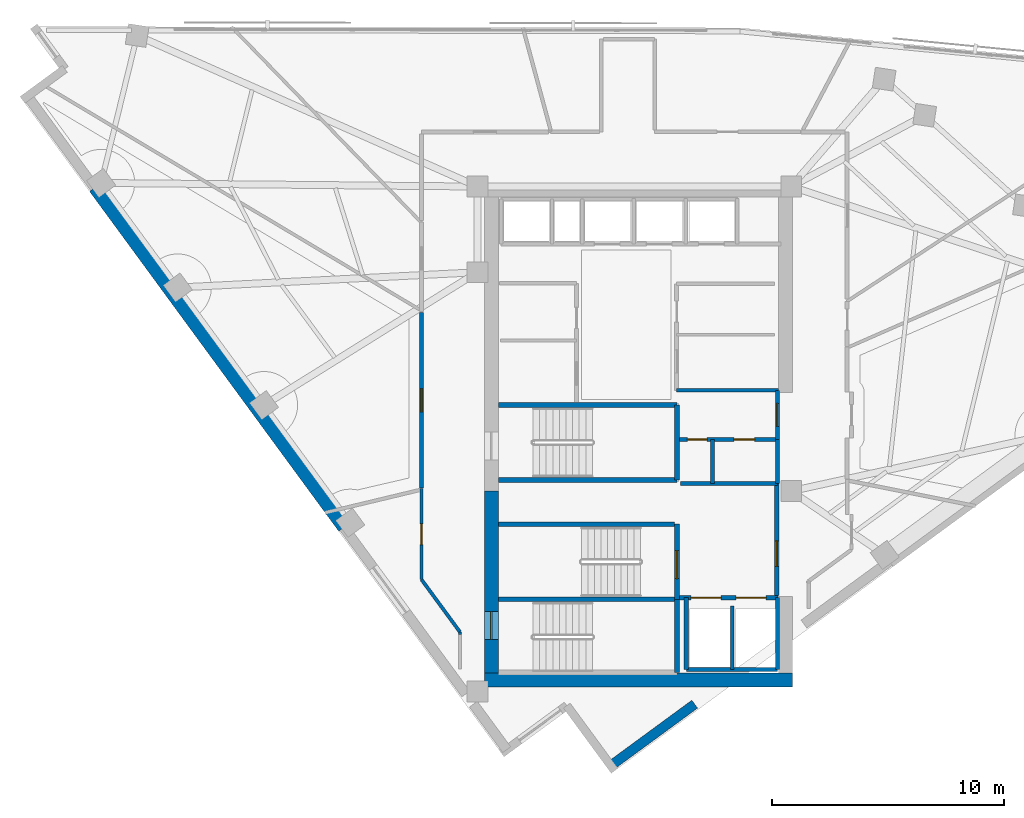
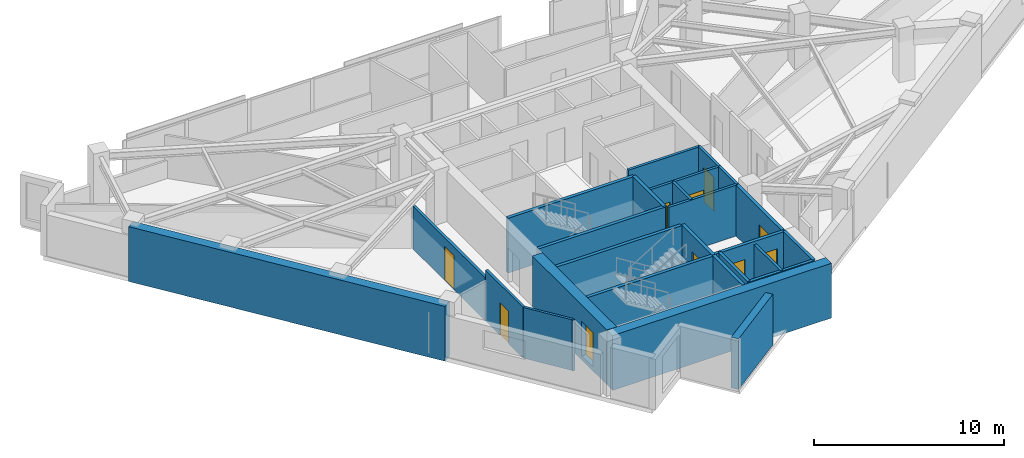
# One storey, part 8 of 14: 27 walls, 10 doors, 10 openings.
"""IFC4 building model written with IfcOpenShell, lengths in metres."""

from ifc_helpers import new_model, si_unit, direction, frame, frame_2d, origin, place, context, subcontext, project, spatial, rectangle, extrude, material, layer, layer_set, type_object, element, fill, save


model = new_model("IFC4")

# Units and contexts
model_context = context("Model", 3, precision=1e-05, world=origin(), true_north=direction((0.0, 1.0)))
body_context = subcontext(model_context, "Body", "Model", "MODEL_VIEW")
ifc_project = project(units=[si_unit("LENGTHUNIT", "METRE"), si_unit("AREAUNIT", "SQUARE_METRE"), si_unit("VOLUMEUNIT", "CUBIC_METRE"), si_unit("PLANEANGLEUNIT", "RADIAN"), si_unit("MASSUNIT", "GRAM", prefix="KILO")], contexts=[model_context])

# Site, building, storey
site_placement = place(None, origin())
site = spatial("IfcSite", under=ifc_project, at=site_placement, CompositionType="ELEMENT")
building_placement = place(site_placement, origin())
building = spatial("IfcBuilding", under=site, at=building_placement, Name="Narakoshi Arena Tower", CompositionType="ELEMENT")
storey_placement = place(building_placement, frame((0.0, 0.0, 236.10009765625)))
storey = spatial("IfcBuildingStorey", under=building, at=storey_placement, Name="L64", CompositionType="ELEMENT", Elevation=236.10009765625)

# Wall, opening, door
ifc_material_1 = material(Name="Concrete C50/60", Category="concrete")
ifc_layer_1 = layer(ifc_material_1, 0.60009765625)
ifc_layer_set_1 = layer_set([ifc_layer_1], Name="Concrete C50/60")
wall_type_1 = type_object("IfcWallType", Name="WL-CORE-600", PredefinedType="SHEAR", material=ifc_layer_set_1)
wall_1_placement = place(storey_placement, frame((72.60009765625, 35.5, -0.260009765625), z_axis=(0.0, 0.0, 1.0), x_axis=(0.0, 1.0, 0.0)))
wall_1 = element("IfcWall", 1, at=wall_1_placement, inside=storey, type_object=wall_type_1, Name="L64 Central Core Shear Wall CW-APX-W", PredefinedType="SHEAR", context=body_context, shape_type="SweptSolid", body=[
    extrude(rectangle(XDim=7.85009765625, YDim=0.60009765625, at=frame_2d((3.925048828125, 0.0))), origin(), (0.0, 0.0, 1.0), 3.52001953125),
])
opening_1_placement = place(wall_1_placement, frame((1.449951171875, 0.0, 0.260009765625)))
opening_1 = element("IfcOpeningElement", 2, at=opening_1_placement, cuts=wall_1, Name="Opening D-03", PredefinedType="OPENING", context=body_context, shape_type="SweptSolid", body=[
    extrude(rectangle(XDim=1.199951171875, YDim=2.199951171875, at=frame_2d((0.60009765625, 1.10009765625))), frame((0.0, 0.31005859375, 0.0), z_axis=(0.0, -1.0, 0.0), x_axis=(1.0, 0.0, 0.0)), (0.0, 0.0, 1.0), 0.6201171875),
])
ifc_material_2 = material(Name="Painted galvanized steel", Category="steel")
door_type_1 = type_object("IfcDoorType", Name="DR-STR-1200", OperationType="NOTDEFINED", PredefinedType="USERDEFINED", material=ifc_material_2)
door_1_placement = place(opening_1_placement, frame((1.199951171875, 0.0, 0.0), z_axis=(0.0, 0.0, 1.0), x_axis=(-1.0, 0.0, 0.0)))
door_1 = element("IfcDoor", 3, at=door_1_placement, inside=storey, type_object=door_type_1, Name="DR-L64-001", ObjectType="EXITDOOR", OperationType="SINGLE_SWING_LEFT", OverallHeight=2.199951171875, OverallWidth=1.199951171875, PredefinedType="USERDEFINED", context=body_context, shape_type="SweptSolid", body=[
    extrude(rectangle(XDim=1.199951171875, YDim=2.199951171875, at=frame_2d((0.60009765625, 1.10009765625))), frame((0.0, 0.02490234375, 0.0), z_axis=(0.0, -1.0, 0.0), x_axis=(1.0, 0.0, 0.0)), (0.0, 0.0, 1.0), 0.050048828125),
])
fill(opening_1, door_1)

# Wall
wall_2_placement = place(storey_placement, frame((72.300048828125, 35.199951171875, -0.260009765625), z_axis=(0.0, 0.0, 1.0), x_axis=(1.0, 0.0, 0.0)))
element("IfcWall", 4, at=wall_2_placement, inside=storey, type_object=wall_type_1, Name="L64 Central Core Shear Wall CW-APX-S", PredefinedType="SHEAR", context=body_context, shape_type="SweptSolid", body=[
    extrude(rectangle(XDim=13.300048828125, YDim=0.60009765625, at=frame_2d((6.64990234375, 0.0))), origin(), (0.0, 0.0, 1.0), 3.52001953125),
])

# Wall, opening, door
ifc_material_3 = material(Name="Gypsum plasterboard fire-rated partition")
ifc_layer_2 = layer(ifc_material_3, 0.1650390625)
ifc_layer_set_2 = layer_set([ifc_layer_2], Name="Gypsum plasterboard fire-rated partition")
wall_type_2 = type_object("IfcWallType", Name="WL-CORR-165", PredefinedType="PARTITIONING", material=ifc_layer_set_2)
wall_3_placement = place(storey_placement, frame((84.949951171875, 45.580078125, 0.0), z_axis=(0.0, 0.0, 1.0), x_axis=(0.0, 1.0, 0.0)))
wall_3 = element("IfcWall", 5, at=wall_3_placement, inside=storey, type_object=wall_type_2, Name="L64 Core Wall CPAS-E", PredefinedType="PARTITIONING", context=body_context, shape_type="SweptSolid", body=[
    extrude(rectangle(XDim=2.119873046875, YDim=0.1650390625, at=frame_2d((1.06005859375, 0.0))), origin(), (0.0, 0.0, 1.0), 3.260009765625),
])
opening_2_placement = place(wall_3_placement, frame((0.56005859375, 0.0, 0.0)))
opening_2 = element("IfcOpeningElement", 6, at=opening_2_placement, cuts=wall_3, Name="Opening D-06", PredefinedType="OPENING", context=body_context, shape_type="SweptSolid", body=[
    extrude(rectangle(XDim=1.0, YDim=2.199951171875, at=frame_2d((0.5, 1.10009765625))), frame((0.0, 0.092529296875, 0.0), z_axis=(0.0, -1.0, 0.0), x_axis=(1.0, 0.0, 0.0)), (0.0, 0.0, 1.0), 0.18505859375),
])
ifc_material_4 = material(Name="Stained oak solid-core timber", Category="wood")
door_type_2 = type_object("IfcDoorType", Name="DR-OFF-1000", OperationType="NOTDEFINED", PredefinedType="DOOR", material=ifc_material_4)
door_2_placement = place(opening_2_placement, frame((1.0, 0.0, 0.0), z_axis=(0.0, 0.0, 1.0), x_axis=(-1.0, 0.0, 0.0)))
door_2 = element("IfcDoor", 7, at=door_2_placement, inside=storey, type_object=door_type_2, Name="DR-L64-007", OperationType="SINGLE_SWING_LEFT", OverallHeight=2.199951171875, OverallWidth=1.0, PredefinedType="DOOR", context=body_context, shape_type="SweptSolid", body=[
    extrude(rectangle(XDim=1.0, YDim=2.199951171875, at=frame_2d((0.5, 1.10009765625))), frame((0.0, 0.02490234375, 0.0), z_axis=(0.0, -1.0, 0.0), x_axis=(1.0, 0.0, 0.0)), (0.0, 0.0, 1.0), 0.050048828125),
])
fill(opening_2, door_2)

wall_4_placement = place(storey_placement, frame((69.588623046875, 51.066162109375, 0.0), z_axis=(0.0, 0.0, 1.0), x_axis=(0.0, -1.0, 0.0)))
wall_4 = element("IfcWall", 8, at=wall_4_placement, inside=storey, type_object=wall_type_2, Name="L64 Corridor Partition 09-1", PredefinedType="PARTITIONING", context=body_context, shape_type="SweptSolid", body=[
    extrude(rectangle(XDim=7.5888671875, YDim=0.1650390625, at=frame_2d((3.79443359375, 0.0))), origin(), (0.0, 0.0, 1.0), 2.744873046875),
])
opening_3_placement = place(wall_4_placement, frame((3.29443359375, 0.0, 0.0)))
opening_3 = element("IfcOpeningElement", 9, at=opening_3_placement, cuts=wall_4, Name="Opening D-06", PredefinedType="OPENING", context=body_context, shape_type="SweptSolid", body=[
    extrude(rectangle(XDim=1.0, YDim=2.199951171875, at=frame_2d((0.5, 1.10009765625))), frame((0.0, 0.092529296875, 0.0), z_axis=(0.0, -1.0, 0.0), x_axis=(1.0, 0.0, 0.0)), (0.0, 0.0, 1.0), 0.18505859375),
])
door_3_placement = place(opening_3_placement, frame((1.0, 0.0, 0.0), z_axis=(0.0, 0.0, 1.0), x_axis=(-1.0, 0.0, 0.0)))
door_3 = element("IfcDoor", 10, at=door_3_placement, inside=storey, type_object=door_type_2, Name="DR-L64-025", OperationType="SINGLE_SWING_RIGHT", OverallHeight=2.199951171875, OverallWidth=1.0, PredefinedType="DOOR", context=body_context, shape_type="SweptSolid", body=[
    extrude(rectangle(XDim=1.0, YDim=2.199951171875, at=frame_2d((0.5, 1.10009765625))), frame((0.0, 0.02490234375, 0.0), z_axis=(0.0, -1.0, 0.0), x_axis=(1.0, 0.0, 0.0)), (0.0, 0.0, 1.0), 0.050048828125),
])
fill(opening_3, door_3)

# Walls
ifc_layer_3 = layer(ifc_material_1, 0.550048828125)
ifc_layer_set_3 = layer_set([ifc_layer_3], Name="Concrete C50/60")
wall_type_3 = type_object("IfcWallType", Name="WL-LEG-550", PredefinedType="SHEAR", material=ifc_layer_set_3)
wall_5_placement = place(storey_placement, frame((55.47509765625, 56.450439453125, -0.260009765625), z_axis=(0.0, 0.0, 1.0), x_axis=(0.591309555876, -0.806444672082, 0.0)))
element("IfcWall", 11, at=wall_5_placement, inside=storey, type_object=wall_type_3, Name="L64 Architectural Concrete Structural Wall LEGB-2", PredefinedType="SHEAR", context=body_context, shape_type="SweptSolid", body=[
    extrude(rectangle(XDim=18.1923828125, YDim=0.550048828125, at=frame_2d((9.09619140625, 0.0))), origin(), (0.0, 0.0, 1.0), 3.52001953125),
])
ifc_material_5 = material(Name="Precast concrete C45/55", Category="concrete")
ifc_layer_4 = layer(ifc_material_5, 0.419921875)
ifc_layer_set_4 = layer_set([ifc_layer_4], Name="Precast concrete C45/55")
wall_type_4 = type_object("IfcWallType", Name="WL-POD-420", PredefinedType="SOLIDWALL", material=ifc_layer_set_4)
wall_6_placement = place(storey_placement, frame((77.760009765625, 31.4951171875, 0.0), z_axis=(0.0, 0.0, 1.0), x_axis=(0.806458583304, 0.591290582891, 0.0)))
element("IfcWall", 12, at=wall_6_placement, inside=storey, type_object=wall_type_4, Name="L64 Architectural Concrete Facade Wall LEGA-1", PredefinedType="SOLIDWALL", context=body_context, shape_type="SweptSolid", body=[
    extrude(rectangle(XDim=4.48974609375, YDim=0.419921875, at=frame_2d((2.244873046875, 0.0))), origin(), (0.0, 0.0, 1.0), 3.260009765625),
])
ifc_material_6 = material(Name="Concrete C40/50", Category="concrete")
ifc_layer_5 = layer(ifc_material_6, 0.280029296875)
ifc_layer_set_5 = layer_set([ifc_layer_5], Name="Concrete C40/50")
wall_type_5 = type_object("IfcWallType", Name="WL-RISER-280", PredefinedType="PLUMBINGWALL", material=ifc_layer_set_5)
wall_7_placement = place(storey_placement, frame((83.0, 35.64990234375, 0.0), z_axis=(0.0, 0.0, 1.0), x_axis=(0.0, 1.0, 0.0)))
element("IfcWall", 13, at=wall_7_placement, inside=storey, type_object=wall_type_5, Name="L64 Core Wall FF-DIV", PredefinedType="PLUMBINGWALL", context=body_context, shape_type="SweptSolid", body=[
    extrude(rectangle(XDim=2.75, YDim=0.159912109375, at=frame_2d((1.375, 0.0))), origin(), (0.0, 0.0, 1.0), 3.260009765625),
])
wall_8_placement = place(storey_placement, frame((84.949951171875, 43.679931640625, 0.0), z_axis=(0.0, 0.0, 1.0), x_axis=(0.0, 1.0, 0.0)))
element("IfcWall", 14, at=wall_8_placement, inside=storey, type_object=wall_type_5, Name="L64 Core Wall RSR-E", PredefinedType="PLUMBINGWALL", context=body_context, shape_type="SweptSolid", body=[
    extrude(rectangle(XDim=1.900146484375, YDim=0.1650390625, at=frame_2d((0.9501953125, 0.0))), origin(), (0.0, 0.0, 1.0), 3.260009765625),
])

# Wall, openings, doors
wall_9_placement = place(storey_placement, frame((80.719970703125, 45.580078125, 0.0), z_axis=(0.0, 0.0, 1.0), x_axis=(1.0, 0.0, 0.0)))
wall_9 = element("IfcWall", 15, at=wall_9_placement, inside=storey, type_object=wall_type_5, Name="L64 Core Wall RSR-N", PredefinedType="PLUMBINGWALL", context=body_context, shape_type="SweptSolid", body=[
    extrude(rectangle(XDim=4.22998046875, YDim=0.159912109375, at=frame_2d((2.114990234375, 0.0))), origin(), (0.0, 0.0, 1.0), 3.260009765625),
])
opening_4_placement = place(wall_9_placement, frame((0.35009765625, 0.0, 0.0)))
opening_4 = element("IfcOpeningElement", 16, at=opening_4_placement, cuts=wall_9, Name="Opening D-10", PredefinedType="OPENING", context=body_context, shape_type="SweptSolid", body=[
    extrude(rectangle(XDim=0.85009765625, YDim=2.050048828125, at=frame_2d((0.425048828125, 1.02490234375))), frame((0.0, 0.08984375, 0.0), z_axis=(0.0, -1.0, 0.0), x_axis=(1.0, 0.0, 0.0)), (0.0, 0.0, 1.0), 0.179931640625),
])
opening_5_placement = place(wall_9_placement, frame((2.35009765625, 0.0, 0.0)))
opening_5 = element("IfcOpeningElement", 17, at=opening_5_placement, cuts=wall_9, Name="Opening D-08", PredefinedType="OPENING", context=body_context, shape_type="SweptSolid", body=[
    extrude(rectangle(XDim=0.89990234375, YDim=2.10009765625, at=frame_2d((0.449951171875, 1.050048828125))), frame((0.0, 0.08984375, 0.0), z_axis=(0.0, -1.0, 0.0), x_axis=(1.0, 0.0, 0.0)), (0.0, 0.0, 1.0), 0.179931640625),
])
door_type_3 = type_object("IfcDoorType", Name="DR-RSR-850", OperationType="NOTDEFINED", PredefinedType="DOOR", material=ifc_material_2)
door_4_placement = place(opening_4_placement, frame((0.85009765625, 0.0, 0.0), z_axis=(0.0, 0.0, 1.0), x_axis=(-1.0, 0.0, 0.0)))
door_4 = element("IfcDoor", 18, at=door_4_placement, inside=storey, type_object=door_type_3, Name="DR-L64-008", OperationType="SINGLE_SWING_LEFT", OverallHeight=2.050048828125, OverallWidth=0.85009765625, PredefinedType="DOOR", context=body_context, shape_type="SweptSolid", body=[
    extrude(rectangle(XDim=0.85009765625, YDim=2.050048828125, at=frame_2d((0.425048828125, 1.02490234375))), frame((0.0, 0.02490234375, 0.0), z_axis=(0.0, -1.0, 0.0), x_axis=(1.0, 0.0, 0.0)), (0.0, 0.0, 1.0), 0.050048828125),
])
fill(opening_4, door_4)
ifc_material_7 = material(Name="Moisture-resistant laminate timber", Category="wood")
door_type_4 = type_object("IfcDoorType", Name="DR-WC-900", OperationType="NOTDEFINED", PredefinedType="DOOR", material=ifc_material_7)
door_5_placement = place(opening_5_placement, frame((0.89990234375, 0.0, 0.0), z_axis=(0.0, 0.0, 1.0), x_axis=(-1.0, 0.0, 0.0)))
door_5 = element("IfcDoor", 19, at=door_5_placement, inside=storey, type_object=door_type_4, Name="DR-L64-009", OperationType="SINGLE_SWING_RIGHT", OverallHeight=2.10009765625, OverallWidth=0.89990234375, PredefinedType="DOOR", context=body_context, shape_type="SweptSolid", body=[
    extrude(rectangle(XDim=0.89990234375, YDim=2.10009765625, at=frame_2d((0.449951171875, 1.050048828125))), frame((0.0, 0.02490234375, 0.0), z_axis=(0.0, -1.0, 0.0), x_axis=(1.0, 0.0, 0.0)), (0.0, 0.0, 1.0), 0.050048828125),
])
fill(opening_5, door_5)

# Walls
wall_10_placement = place(storey_placement, frame((80.760009765625, 43.679931640625, 0.0), z_axis=(0.0, 0.0, 1.0), x_axis=(1.0, 0.0, 0.0)))
element("IfcWall", 20, at=wall_10_placement, inside=storey, type_object=wall_type_5, Name="L64 Core Wall RSR-S", PredefinedType="PLUMBINGWALL", context=body_context, shape_type="SweptSolid", body=[
    extrude(rectangle(XDim=4.18994140625, YDim=0.159912109375, at=frame_2d((2.094970703125, 0.0))), origin(), (0.0, 0.0, 1.0), 3.260009765625),
])
wall_11_placement = place(storey_placement, frame((82.14990234375, 43.679931640625, 0.0), z_axis=(0.0, 0.0, 1.0), x_axis=(0.0, 1.0, 0.0)))
element("IfcWall", 21, at=wall_11_placement, inside=storey, type_object=wall_type_5, Name="L64 Core Wall RSR-M", PredefinedType="PLUMBINGWALL", context=body_context, shape_type="SweptSolid", body=[
    extrude(rectangle(XDim=1.900146484375, YDim=0.159912109375, at=frame_2d((0.9501953125, 0.0))), origin(), (0.0, 0.0, 1.0), 3.260009765625),
])
ifc_layer_6 = layer(ifc_material_1, 0.35009765625)
ifc_layer_set_6 = layer_set([ifc_layer_6], Name="Concrete C50/60")
wall_type_6 = type_object("IfcWallType", Name="WL-SHAFT-350", PredefinedType="SOLIDWALL", material=ifc_layer_set_6)
wall_12_placement = place(storey_placement, frame((72.919921875, 38.675048828125, -0.260009765625), z_axis=(0.0, 0.0, 1.0), x_axis=(1.0, 0.0, 0.0)))
element("IfcWall", 22, at=wall_12_placement, inside=storey, type_object=wall_type_6, Name="L64 Core Wall ST12-DIV", PredefinedType="SOLIDWALL", context=body_context, shape_type="SweptSolid", body=[
    extrude(rectangle(XDim=7.7001953125, YDim=0.199951171875, at=frame_2d((3.85009765625, 0.0))), origin(), (0.0, 0.0, 1.0), 3.52001953125),
])
wall_13_placement = place(storey_placement, frame((80.6201171875, 35.52001953125, -0.260009765625), z_axis=(0.0, 0.0, 1.0), x_axis=(0.0, 1.0, 0.0)))
element("IfcWall", 23, at=wall_13_placement, inside=storey, type_object=wall_type_6, Name="L64 Core Wall ST1-E", PredefinedType="SOLIDWALL", context=body_context, shape_type="SweptSolid", body=[
    extrude(rectangle(XDim=3.155029296875, YDim=0.199951171875, at=frame_2d((1.57763671875, 0.0))), origin(), (0.0, 0.0, 1.0), 3.52001953125),
])

# Wall, opening, door
wall_14_placement = place(storey_placement, frame((80.6201171875, 38.675048828125, -0.260009765625), z_axis=(0.0, 0.0, 1.0), x_axis=(0.0, 1.0, 0.0)))
wall_14 = element("IfcWall", 24, at=wall_14_placement, inside=storey, type_object=wall_type_6, Name="L64 Core Wall ST2-E", PredefinedType="SOLIDWALL", context=body_context, shape_type="SweptSolid", body=[
    extrude(rectangle(XDim=3.244873046875, YDim=0.199951171875, at=frame_2d((1.62255859375, 0.0))), origin(), (0.0, 0.0, 1.0), 3.52001953125),
])
opening_6_placement = place(wall_14_placement, frame((0.89990234375, 0.0, 0.260009765625)))
opening_6 = element("IfcOpeningElement", 25, at=opening_6_placement, cuts=wall_14, Name="Opening D-03", PredefinedType="OPENING", context=body_context, shape_type="SweptSolid", body=[
    extrude(rectangle(XDim=1.199951171875, YDim=2.199951171875, at=frame_2d((0.60009765625, 1.10009765625))), frame((0.0, 0.10986328125, 0.0), z_axis=(0.0, -1.0, 0.0), x_axis=(1.0, 0.0, 0.0)), (0.0, 0.0, 1.0), 0.219970703125),
])
door_6_placement = place(opening_6_placement, origin())
door_6 = element("IfcDoor", 26, at=door_6_placement, inside=storey, type_object=door_type_1, Name="DR-L64-002", ObjectType="EXITDOOR", OperationType="SINGLE_SWING_RIGHT", OverallHeight=2.199951171875, OverallWidth=1.199951171875, PredefinedType="USERDEFINED", context=body_context, shape_type="SweptSolid", body=[
    extrude(rectangle(XDim=1.199951171875, YDim=2.199951171875, at=frame_2d((0.60009765625, 1.10009765625))), frame((0.0, 0.02490234375, 0.0), z_axis=(0.0, -1.0, 0.0), x_axis=(1.0, 0.0, 0.0)), (0.0, 0.0, 1.0), 0.050048828125),
])
fill(opening_6, door_6)

# Wall, openings, doors
wall_15_placement = place(storey_placement, frame((80.719970703125, 38.75, 0.0), z_axis=(0.0, 0.0, 1.0), x_axis=(1.0, 0.0, 0.0)))
wall_15 = element("IfcWall", 27, at=wall_15_placement, inside=storey, type_object=wall_type_6, Name="L64 Core Wall FF-N", PredefinedType="SOLIDWALL", context=body_context, shape_type="SweptSolid", body=[
    extrude(rectangle(XDim=4.260009765625, YDim=0.199951171875, at=frame_2d((2.1298828125, 0.0))), origin(), (0.0, 0.0, 1.0), 3.260009765625),
])
opening_7_placement = place(wall_15_placement, frame((0.5, 0.0, 0.0)))
opening_7 = element("IfcOpeningElement", 28, at=opening_7_placement, cuts=wall_15, Name="Opening LD-02", PredefinedType="OPENING", context=body_context, shape_type="SweptSolid", body=[
    extrude(rectangle(XDim=1.300048828125, YDim=2.300048828125, at=frame_2d((0.64990234375, 1.14990234375))), frame((0.0, 0.10986328125, 0.0), z_axis=(0.0, -1.0, 0.0), x_axis=(1.0, 0.0, 0.0)), (0.0, 0.0, 1.0), 0.219970703125),
])
opening_8_placement = place(wall_15_placement, frame((2.449951171875, 0.0, 0.0)))
opening_8 = element("IfcOpeningElement", 29, at=opening_8_placement, cuts=wall_15, Name="Opening LD-02", PredefinedType="OPENING", context=body_context, shape_type="SweptSolid", body=[
    extrude(rectangle(XDim=1.300048828125, YDim=2.300048828125, at=frame_2d((0.64990234375, 1.14990234375))), frame((0.0, 0.10986328125, 0.0), z_axis=(0.0, -1.0, 0.0), x_axis=(1.0, 0.0, 0.0)), (0.0, 0.0, 1.0), 0.219970703125),
])
ifc_material_8 = material(Name="Brushed bronze stainless steel", Category="steel")
door_type_5 = type_object("IfcDoorType", Name="DR-LFT-1300", OperationType="DOUBLE_DOOR_SLIDING", PredefinedType="DOOR", material=ifc_material_8)
door_7_placement = place(opening_7_placement, origin())
door_7 = element("IfcDoor", 30, at=door_7_placement, inside=storey, type_object=door_type_5, Name="DR-L64-003", OperationType="DOUBLE_DOOR_SLIDING", OverallHeight=2.300048828125, OverallWidth=1.300048828125, PredefinedType="DOOR", context=body_context, shape_type="SweptSolid", body=[
    extrude(rectangle(XDim=1.300048828125, YDim=2.300048828125, at=frame_2d((0.64990234375, 1.14990234375))), frame((0.0, 0.02490234375, 0.0), z_axis=(0.0, -1.0, 0.0), x_axis=(1.0, 0.0, 0.0)), (0.0, 0.0, 1.0), 0.050048828125),
])
fill(opening_7, door_7)
door_8_placement = place(opening_8_placement, origin())
door_8 = element("IfcDoor", 31, at=door_8_placement, inside=storey, type_object=door_type_5, Name="DR-L64-004", OperationType="DOUBLE_DOOR_SLIDING", OverallHeight=2.300048828125, OverallWidth=1.300048828125, PredefinedType="DOOR", context=body_context, shape_type="SweptSolid", body=[
    extrude(rectangle(XDim=1.300048828125, YDim=2.300048828125, at=frame_2d((0.64990234375, 1.14990234375))), frame((0.0, 0.02490234375, 0.0), z_axis=(0.0, -1.0, 0.0), x_axis=(1.0, 0.0, 0.0)), (0.0, 0.0, 1.0), 0.050048828125),
])
fill(opening_8, door_8)

# Walls
for number, where, z_axis, x_axis, name in (
    (32, (84.949951171875, 35.64990234375, 0.0), (0.0, 0.0, 1.0), (0.0, 1.0, 0.0), "L64 Core Wall FF-E"),
    (33, (81.02001953125, 35.64990234375, 0.0), (0.0, 0.0, 1.0), (0.0, 1.0, 0.0), "L64 Core Wall FF-W"),
):
    element("IfcWall", number, at=place(storey_placement, frame(where, z_axis=z_axis, x_axis=x_axis)), inside=storey, type_object=wall_type_6, Name=name, PredefinedType="SOLIDWALL", context=body_context, shape_type="SweptSolid", body=[
        extrude(rectangle(XDim=3.10009765625, YDim=0.179931640625, at=frame_2d((1.550048828125, 0.0))), origin(), (0.0, 0.0, 1.0), 3.260009765625),
    ])
wall_16_placement = place(storey_placement, frame((81.02001953125, 35.64990234375, 0.0), z_axis=(0.0, 0.0, 1.0), x_axis=(1.0, 0.0, 0.0)))
element("IfcWall", 34, at=wall_16_placement, inside=storey, type_object=wall_type_6, Name="L64 Core Wall FF-S", PredefinedType="SOLIDWALL", context=body_context, shape_type="SweptSolid", body=[
    extrude(rectangle(XDim=3.929931640625, YDim=0.179931640625, at=frame_2d((1.96484375, 0.0))), origin(), (0.0, 0.0, 1.0), 3.260009765625),
])

# Wall, opening, door
wall_17_placement = place(storey_placement, frame((84.919921875, 38.85009765625, 0.0), z_axis=(0.0, 0.0, 1.0), x_axis=(0.0, 1.0, 0.0)))
wall_17 = element("IfcWall", 35, at=wall_17_placement, inside=storey, type_object=wall_type_6, Name="L64 Core Wall FFLOB-E", PredefinedType="SOLIDWALL", context=body_context, shape_type="SweptSolid", body=[
    extrude(rectangle(XDim=4.829833984375, YDim=0.199951171875, at=frame_2d((2.4150390625, 0.0))), origin(), (0.0, 0.0, 1.0), 3.260009765625),
])
opening_9_placement = place(wall_17_placement, frame((1.25, 0.0, 0.0)))
opening_9 = element("IfcOpeningElement", 36, at=opening_9_placement, cuts=wall_17, Name="Opening D-04", PredefinedType="OPENING", context=body_context, shape_type="SweptSolid", body=[
    extrude(rectangle(XDim=1.10009765625, YDim=2.199951171875, at=frame_2d((0.550048828125, 1.10009765625))), frame((0.0, 0.10986328125, 0.0), z_axis=(0.0, -1.0, 0.0), x_axis=(1.0, 0.0, 0.0)), (0.0, 0.0, 1.0), 0.219970703125),
])
door_type_6 = type_object("IfcDoorType", Name="DR-FFL-1100", OperationType="NOTDEFINED", PredefinedType="DOOR", material=ifc_material_2)
door_9_placement = place(opening_9_placement, frame((1.10009765625, 0.0, 0.0), z_axis=(0.0, 0.0, 1.0), x_axis=(-1.0, 0.0, 0.0)))
door_9 = element("IfcDoor", 37, at=door_9_placement, inside=storey, type_object=door_type_6, Name="DR-L64-005", OperationType="SINGLE_SWING_RIGHT", OverallHeight=2.199951171875, OverallWidth=1.10009765625, PredefinedType="DOOR", context=body_context, shape_type="SweptSolid", body=[
    extrude(rectangle(XDim=1.10009765625, YDim=2.199951171875, at=frame_2d((0.550048828125, 1.10009765625))), frame((0.0, 0.02490234375, 0.0), z_axis=(0.0, -1.0, 0.0), x_axis=(1.0, 0.0, 0.0)), (0.0, 0.0, 1.0), 0.050048828125),
])
fill(opening_9, door_9)

# Walls
wall_18_placement = place(storey_placement, frame((72.919921875, 41.919921875, -0.260009765625), z_axis=(0.0, 0.0, 1.0), x_axis=(1.0, 0.0, 0.0)))
element("IfcWall", 38, at=wall_18_placement, inside=storey, type_object=wall_type_6, Name="L64 Core Wall ST2-N", PredefinedType="SOLIDWALL", context=body_context, shape_type="SweptSolid", body=[
    extrude(rectangle(XDim=7.580078125, YDim=0.199951171875, at=frame_2d((3.7900390625, 0.0))), origin(), (0.0, 0.0, 1.0), 3.52001953125),
])
for number, where, z_axis, x_axis, name in (
    (39, (72.919921875, 43.830078125, -0.260009765625), (0.0, 0.0, 1.0), (1.0, 0.0, 0.0), "L64 Core Wall ST3-S"),
    (40, (72.919921875, 47.070068359375, -0.260009765625), (0.0, 0.0, 1.0), (1.0, 0.0, 0.0), "L64 Core Wall ST3-N"),
):
    element("IfcWall", number, at=place(storey_placement, frame(where, z_axis=z_axis, x_axis=x_axis)), inside=storey, type_object=wall_type_6, Name=name, PredefinedType="SOLIDWALL", context=body_context, shape_type="SweptSolid", body=[
        extrude(rectangle(XDim=7.7001953125, YDim=0.199951171875, at=frame_2d((3.85009765625, 0.0))), origin(), (0.0, 0.0, 1.0), 3.52001953125),
    ])
wall_19_placement = place(storey_placement, frame((80.6201171875, 43.830078125, -0.260009765625), z_axis=(0.0, 0.0, 1.0), x_axis=(0.0, 1.0, 0.0)))
element("IfcWall", 41, at=wall_19_placement, inside=storey, type_object=wall_type_6, Name="L64 Core Wall ST3-E", PredefinedType="SOLIDWALL", context=body_context, shape_type="SweptSolid", body=[
    extrude(rectangle(XDim=3.239990234375, YDim=0.199951171875, at=frame_2d((1.6201171875, 0.0))), origin(), (0.0, 0.0, 1.0), 3.52001953125),
])
wall_20_placement = place(storey_placement, frame((80.60009765625, 47.699951171875, 0.0), z_axis=(0.0, 0.0, 1.0), x_axis=(1.0, 0.0, 0.0)))
element("IfcWall", 42, at=wall_20_placement, inside=storey, type_object=wall_type_6, Name="L64 Core Wall MR-S", PredefinedType="SOLIDWALL", context=body_context, shape_type="SweptSolid", body=[
    extrude(rectangle(XDim=4.39990234375, YDim=0.159912109375, at=frame_2d((2.199951171875, 0.0))), origin(), (0.0, 0.0, 1.0), 3.260009765625),
])

# Wall, opening, door
ifc_material_9 = material(Name="Moisture-resistant cement-board partition")
ifc_layer_7 = layer(ifc_material_9, 0.14501953125)
ifc_layer_set_7 = layer_set([ifc_layer_7], Name="Moisture-resistant cement-board partition")
wall_type_7 = type_object("IfcWallType", Name="WL-WET-145", PredefinedType="PARTITIONING", material=ifc_layer_set_7)
wall_21_placement = place(storey_placement, frame((69.588623046875, 43.45263671875, 0.0), z_axis=(0.0, 0.0, 1.0), x_axis=(0.0, -1.0, 0.0)))
wall_21 = element("IfcWall", 43, at=wall_21_placement, inside=storey, type_object=wall_type_7, Name="L64 Corridor Partition 01-1", PredefinedType="PARTITIONING", context=body_context, shape_type="SweptSolid", body=[
    extrude(rectangle(XDim=3.92529296875, YDim=0.14501953125, at=frame_2d((1.962646484375, 0.0))), origin(), (0.0, 0.0, 1.0), 3.260009765625),
])
opening_10_placement = place(wall_21_placement, frame((1.5126953125, 0.0, 0.0)))
opening_10 = element("IfcOpeningElement", 44, at=opening_10_placement, cuts=wall_21, Name="Opening D-08", PredefinedType="OPENING", context=body_context, shape_type="SweptSolid", body=[
    extrude(rectangle(XDim=0.89990234375, YDim=2.10009765625, at=frame_2d((0.449951171875, 1.050048828125))), frame((0.0, 0.08251953125, 0.0), z_axis=(0.0, -1.0, 0.0), x_axis=(1.0, 0.0, 0.0)), (0.0, 0.0, 1.0), 0.1650390625),
])
door_10_placement = place(opening_10_placement, frame((0.89990234375, 0.0, 0.0), z_axis=(0.0, 0.0, 1.0), x_axis=(-1.0, 0.0, 0.0)))
door_10 = element("IfcDoor", 45, at=door_10_placement, inside=storey, type_object=door_type_4, Name="DR-L64-017", OperationType="SINGLE_SWING_RIGHT", OverallHeight=2.10009765625, OverallWidth=0.89990234375, PredefinedType="DOOR", context=body_context, shape_type="SweptSolid", body=[
    extrude(rectangle(XDim=0.89990234375, YDim=2.10009765625, at=frame_2d((0.449951171875, 1.050048828125))), frame((0.0, 0.02490234375, 0.0), z_axis=(0.0, -1.0, 0.0), x_axis=(1.0, 0.0, 0.0)), (0.0, 0.0, 1.0), 0.050048828125),
])
fill(opening_10, door_10)

# Walls
wall_22_placement = place(storey_placement, frame((69.588623046875, 39.52734375, 0.0), z_axis=(0.0, 0.0, 1.0), x_axis=(0.591303389729, -0.806449193251, 0.0)))
element("IfcWall", 46, at=wall_22_placement, inside=storey, type_object=wall_type_7, Name="L64 Corridor Partition 01-2", PredefinedType="PARTITIONING", context=body_context, shape_type="SweptSolid", body=[
    extrude(rectangle(XDim=2.8095703125, YDim=0.14501953125, at=frame_2d((1.40478515625, 0.0))), origin(), (0.0, 0.0, 1.0), 3.260009765625),
])
wall_23_placement = place(storey_placement, frame((71.25, 37.261474609375, 0.0), z_axis=(0.0, 0.0, 1.0), x_axis=(0.0, -1.0, 0.0)))
element("IfcWall", 47, at=wall_23_placement, inside=storey, type_object=wall_type_7, Name="L64 Corridor Partition 01-3", PredefinedType="PARTITIONING", context=body_context, shape_type="SweptSolid", body=[
    extrude(rectangle(XDim=0.1015625, YDim=0.14501953125, at=frame_2d((0.05078125, 0.0))), origin(), (0.0, 0.0, 1.0), 3.260009765625),
])

save(model, "model.ifc")
